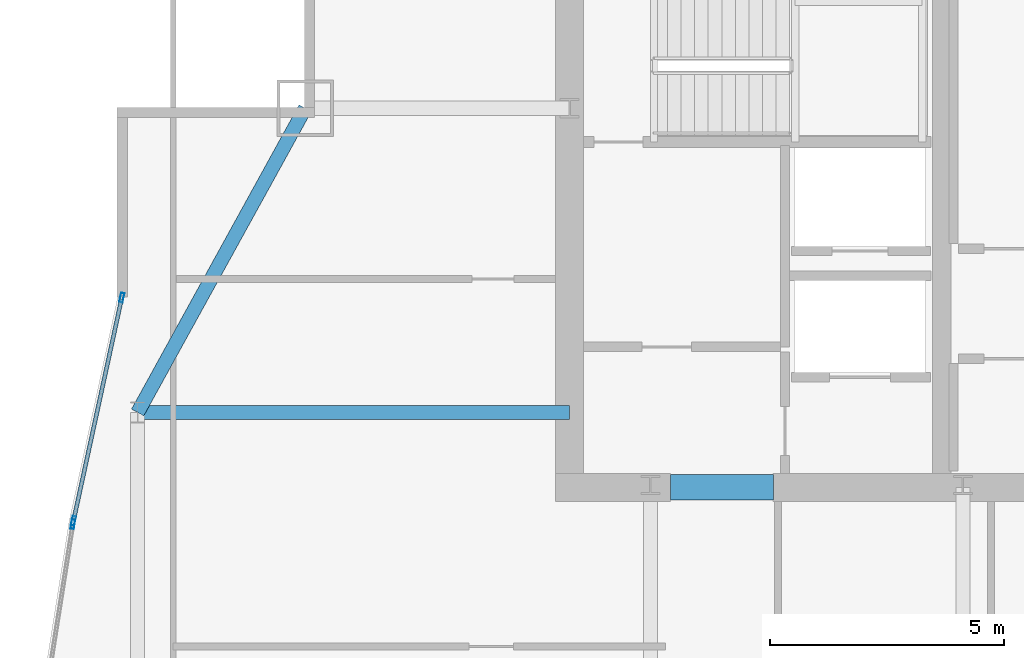
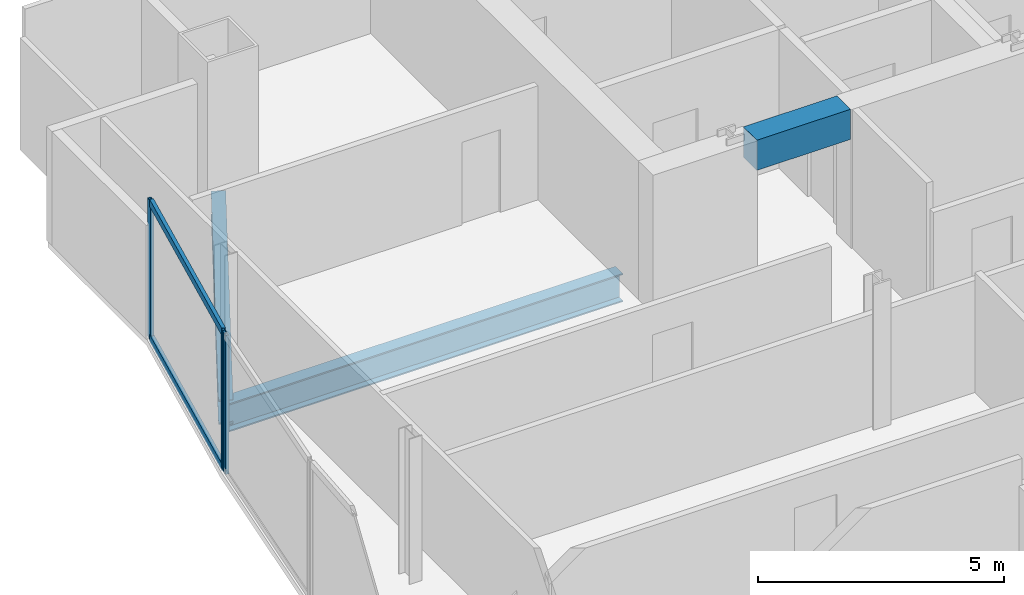
# One storey, part 20 of 30: 5 members, 3 beams, 2 elements without a shape of their own.
"""IFC4 building model written with IfcOpenShell, lengths in metres."""

from ifc_helpers import new_model, si_unit, direction, frame, origin, origin_2d, place, context, subcontext, project, spatial, rectangle, hollow_rectangle, i_section, extrude, material, material_profile, profile_set, type_object, element, aggregate, save


model = new_model("IFC4")

# Units and contexts
model_context = context("Model", 3, precision=1e-05, world=origin(), true_north=direction((0.0, 1.0)))
body_context = subcontext(model_context, "Body", "Model", "MODEL_VIEW")
ifc_project = project(units=[si_unit("LENGTHUNIT", "METRE"), si_unit("AREAUNIT", "SQUARE_METRE"), si_unit("VOLUMEUNIT", "CUBIC_METRE"), si_unit("PLANEANGLEUNIT", "RADIAN"), si_unit("MASSUNIT", "GRAM", prefix="KILO")], contexts=[model_context])

# Site, building, storey
site_placement = place(None, origin())
site = spatial("IfcSite", under=ifc_project, at=site_placement, CompositionType="ELEMENT")
building_placement = place(site_placement, origin())
building = spatial("IfcBuilding", under=site, at=building_placement, Name="Khoronbel Lancet Exchange", CompositionType="ELEMENT")
storey_placement = place(building_placement, frame((0.0, 0.0, 217.39990234375)))
storey = spatial("IfcBuildingStorey", under=building, at=storey_placement, Name="L55", CompositionType="ELEMENT", Elevation=217.39990234375)

# Beams
ifc_material_1 = material(Name="Steel S355", Category="steel")
ifc_material_profile_1 = material_profile(ifc_material_1, i_section(OverallWidth=0.300048828125, OverallDepth=0.699951171875, WebThickness=0.01708984375, FlangeThickness=0.031982421875, at=origin_2d()), Name="HEB 700")
ifc_profile_set_1 = profile_set([ifc_material_profile_1], Name="Steel S355")
beam_type_1 = type_object("IfcBeamType", Name="BM-BG3", PredefinedType="BEAM", material=ifc_profile_set_1)
beam_1_placement = place(storey_placement, frame((7.27001953125, 43.199951171875, -0.510009765625), z_axis=(1.0, 0.0, 0.0), x_axis=(0.0, 1.0, 0.0)))
element("IfcBeam", 1, at=beam_1_placement, inside=storey, type_object=beam_type_1, Name="Level L55 west lens tie girder LG3W", PredefinedType="BEAM", context=body_context, shape_type="SweptSolid", body=[
    extrude(i_section(OverallWidth=0.300048828125, OverallDepth=0.699951171875, WebThickness=0.01708984375, FlangeThickness=0.031982421875, at=origin_2d()), origin(), (0.0, 0.0, 1.0), 9.22998046875),
])
ifc_material_2 = material(Name="Concrete C60/75", Category="concrete")
ifc_material_profile_2 = material_profile(ifc_material_2, rectangle(XDim=0.550048828125, YDim=0.75, at=origin_2d()), Name="RC 550x750")
ifc_profile_set_2 = profile_set([ifc_material_profile_2], Name="Concrete C60/75")
beam_type_2 = type_object("IfcBeamType", Name="BM-BL2", PredefinedType="LINTEL", material=ifc_profile_set_2)
beam_2_placement = place(storey_placement, frame((18.64990234375, 41.60009765625, 3.065185546875), z_axis=(1.0, 0.0, 0.0), x_axis=(0.0, 1.0, 0.0)))
element("IfcBeam", 2, at=beam_2_placement, inside=storey, type_object=beam_type_2, Name="Level L55 rear core coupling lintel L1", PredefinedType="LINTEL", context=body_context, shape_type="SweptSolid", body=[
    extrude(rectangle(XDim=0.550048828125, YDim=0.75, at=origin_2d()), origin(), (0.0, 0.0, 1.0), 2.2001953125),
])
ifc_material_profile_3 = material_profile(ifc_material_1, i_section(OverallWidth=0.300048828125, OverallDepth=0.60009765625, WebThickness=0.015380859375, FlangeThickness=0.030029296875, at=origin_2d()), Name="HEB 600")
ifc_profile_set_3 = profile_set([ifc_material_profile_3], Name="Steel S355")
beam_type_3 = type_object("IfcBeamType", Name="BM-BSP2", PredefinedType="SPANDREL", material=ifc_profile_set_3)
beam_3_placement = place(storey_placement, frame((10.85009765625, 49.699951171875, -0.4599609375), z_axis=(-0.482444051088, -0.875926787791, 0.0), x_axis=(0.875926787791, -0.482444051088, 0.0)))
element("IfcBeam", 3, at=beam_3_placement, inside=storey, type_object=beam_type_3, Name="Level L55 perimeter spandrel beam SP16", PredefinedType="SPANDREL", context=body_context, shape_type="SweptSolid", body=[
    extrude(i_section(OverallWidth=0.300048828125, OverallDepth=0.60009765625, WebThickness=0.015380859375, FlangeThickness=0.030029296875, at=origin_2d()), origin(), (0.0, 0.0, 1.0), 7.420654296875),
])

# Curtain wall, member
ifc_material_3 = material(Name="Low-E Solar Control Insulating Glass", Category="glass")
curtain_wall_type = type_object("IfcCurtainWallType", Name="CW-4", PredefinedType="NOTDEFINED", material=ifc_material_3)
curtain_wall_1_placement = place(storey_placement, origin())
curtain_wall_1 = element("IfcCurtainWall", 4, at=curtain_wall_1_placement, inside=storey, type_object=curtain_wall_type, Name="Unitised curtain wall CW-L55-E08", PredefinedType="NOTDEFINED")
ifc_material_4 = material(Name="Bronze-Anodised Aluminium 6063-T6", Category="aluminium")
ifc_material_profile_4 = material_profile(ifc_material_4, hollow_rectangle(XDim=0.074951171875, YDim=0.199951171875, WallThickness=0.0048828125, at=origin_2d()), Name="ALU MULLION 75x200")
ifc_profile_set_4 = profile_set([ifc_material_profile_4], Name="Bronze-Anodised Aluminium 6063-T6")
member_type_1 = type_object("IfcMemberType", Name="MEM-CWM2", PredefinedType="MULLION", material=ifc_profile_set_4)
member_1_placement = place(storey_placement, frame((5.8857421875, 40.81298828125, 0.0), z_axis=(0.0, 0.0, 1.0), x_axis=(-0.987661213762, 0.156605641119, 0.0)))
member_1 = element("IfcMember", 5, at=member_1_placement, type_object=member_type_1, Name="CW4 mullion 2", PredefinedType="MULLION", context=body_context, shape_type="SweptSolid", body=[
    extrude(hollow_rectangle(XDim=0.074951171875, YDim=0.199951171875, WallThickness=0.0048828125, at=origin_2d()), origin(), (0.0, 0.0, 1.0), 3.440185546875),
])
aggregate(curtain_wall_1, [member_1])

# Curtain wall, members
curtain_wall_2_placement = place(storey_placement, origin())
curtain_wall_2 = element("IfcCurtainWall", 6, at=curtain_wall_2_placement, inside=storey, type_object=curtain_wall_type, Name="Unitised curtain wall CW-L55-E09", PredefinedType="NOTDEFINED")
member_2_placement = place(storey_placement, frame((5.899658203125, 40.88671875, 0.0), z_axis=(0.0, 0.0, 1.0), x_axis=(-0.977341174585, 0.211670093448, 0.0)))
member_2 = element("IfcMember", 7, at=member_2_placement, type_object=member_type_1, Name="CW4 mullion 1", PredefinedType="MULLION", context=body_context, shape_type="SweptSolid", body=[
    extrude(hollow_rectangle(XDim=0.074951171875, YDim=0.199951171875, WallThickness=0.0048828125, at=origin_2d()), origin(), (0.0, 0.0, 1.0), 3.440185546875),
])
member_3_placement = place(storey_placement, frame((6.93212890625, 45.65380859375, 0.0), z_axis=(0.0, 0.0, 1.0), x_axis=(-0.977341174585, 0.211670093448, 0.0)))
member_3 = element("IfcMember", 8, at=member_3_placement, type_object=member_type_1, Name="CW4 mullion 2", PredefinedType="MULLION", context=body_context, shape_type="SweptSolid", body=[
    extrude(hollow_rectangle(XDim=0.074951171875, YDim=0.199951171875, WallThickness=0.0048828125, at=origin_2d()), origin(), (0.0, 0.0, 1.0), 3.440185546875),
])
ifc_material_profile_5 = material_profile(ifc_material_4, hollow_rectangle(XDim=0.0849609375, YDim=0.179931640625, WallThickness=0.0048828125, at=origin_2d()), Name="ALU TRANSOM 85x180")
ifc_profile_set_5 = profile_set([ifc_material_profile_5], Name="Bronze-Anodised Aluminium 6063-T6")
member_type_2 = type_object("IfcMemberType", Name="MEM-CWT1", PredefinedType="USERDEFINED", material=ifc_profile_set_5)
member_4_placement = place(storey_placement, frame((5.907470703125, 40.92333984375, 0.04248046875), z_axis=(0.21167403994, 0.977340319856, 0.0), x_axis=(-0.977340319856, 0.21167403994, 0.0)))
member_4 = element("IfcMember", 9, at=member_4_placement, type_object=member_type_2, Name="CW4 transom 1.1", ObjectType="TRANSOM", PredefinedType="USERDEFINED", context=body_context, shape_type="SweptSolid", body=[
    extrude(hollow_rectangle(XDim=0.0849609375, YDim=0.179931640625, WallThickness=0.0048828125, at=origin_2d()), origin(), (0.0, 0.0, 1.0), 4.802734375),
])
member_5_placement = place(storey_placement, frame((5.907470703125, 40.92333984375, 3.397705078125), z_axis=(0.21167403994, 0.977340319856, 0.0), x_axis=(-0.977340319856, 0.21167403994, 0.0)))
member_5 = element("IfcMember", 10, at=member_5_placement, type_object=member_type_2, Name="CW4 transom 1.2", ObjectType="TRANSOM", PredefinedType="USERDEFINED", context=body_context, shape_type="SweptSolid", body=[
    extrude(hollow_rectangle(XDim=0.0849609375, YDim=0.179931640625, WallThickness=0.0048828125, at=origin_2d()), origin(), (0.0, 0.0, 1.0), 4.802734375),
])
aggregate(curtain_wall_2, [member_2, member_3, member_4, member_5])

save(model, "model.ifc")
